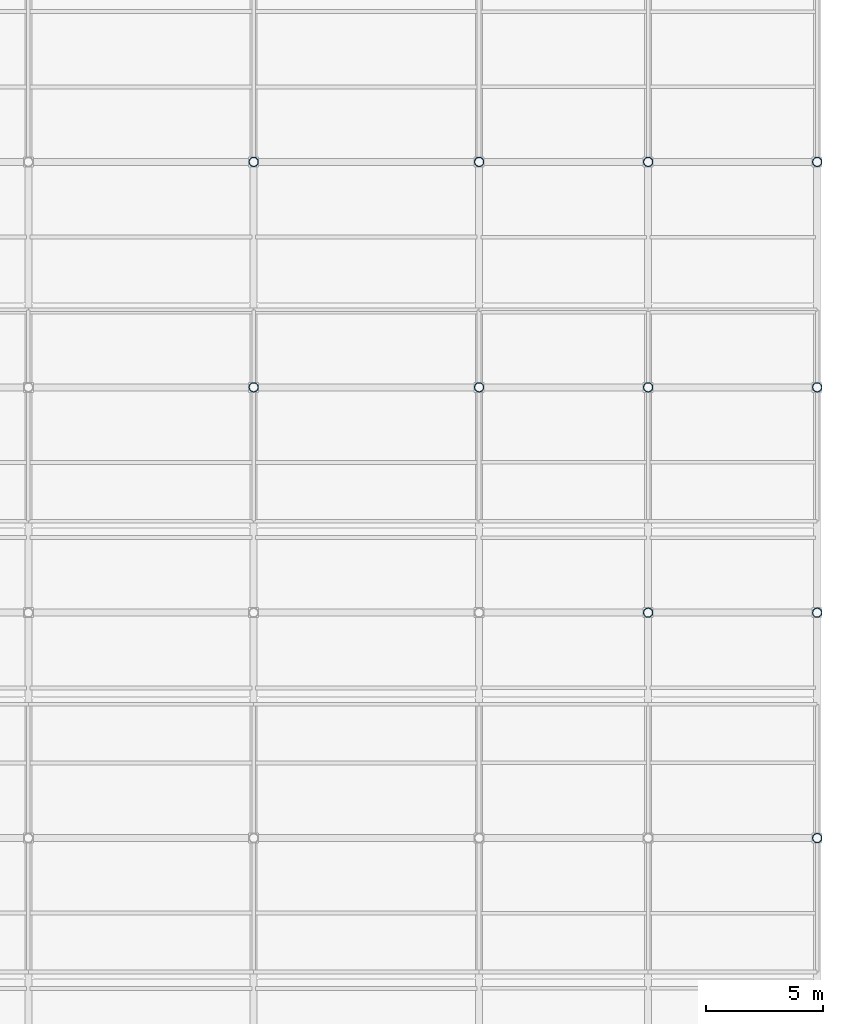
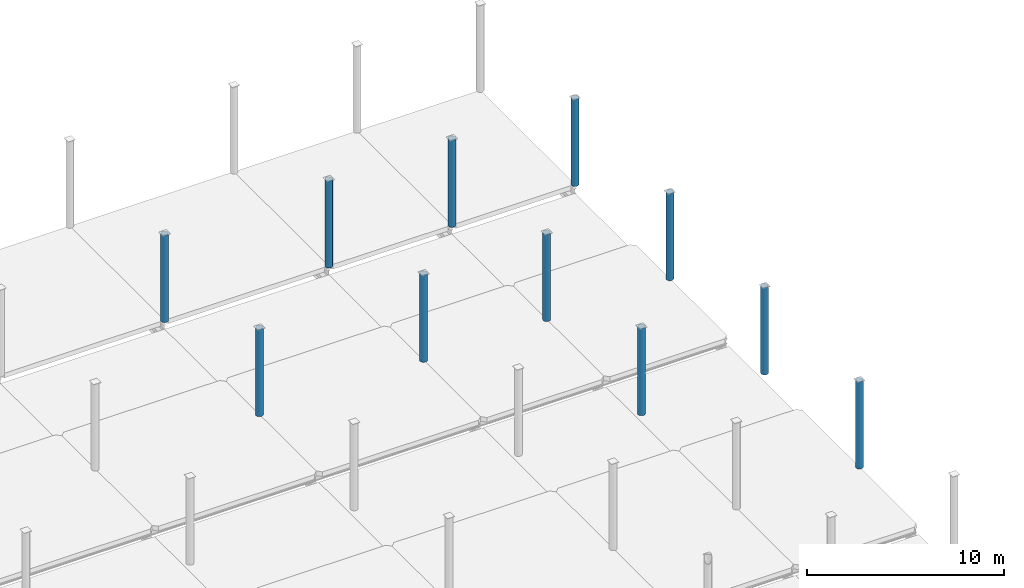
# One storey, part 21 of 85: 11 columns.
"""IFC4 building model written with IfcOpenShell, lengths in metres."""

from ifc_helpers import new_model, si_unit, direction, frame, origin, origin_2d, place, context, subcontext, project, spatial, hollow_circle, extrude, material, material_profile, profile_set, type_object, element, save


model = new_model("IFC4")

# Units and contexts
model_context = context("Model", 3, precision=1e-05, world=origin(), true_north=direction((0.0, 1.0)))
body_context = subcontext(model_context, "Body", "Model", "MODEL_VIEW")
ifc_project = project(units=[si_unit("LENGTHUNIT", "METRE"), si_unit("AREAUNIT", "SQUARE_METRE"), si_unit("VOLUMEUNIT", "CUBIC_METRE"), si_unit("PLANEANGLEUNIT", "RADIAN"), si_unit("MASSUNIT", "GRAM", prefix="KILO")], contexts=[model_context])

# Site, building, storey
site_placement = place(None, origin())
site = spatial("IfcSite", under=ifc_project, at=site_placement, CompositionType="ELEMENT")
building_placement = place(site_placement, origin())
building = spatial("IfcBuilding", under=site, at=building_placement, Name="Zarnetskaya Central Station", CompositionType="ELEMENT")
storey_placement = place(building_placement, origin())
storey = spatial("IfcBuildingStorey", under=building, at=storey_placement, Name="L00", CompositionType="ELEMENT", Elevation=0.0)

# Columns
ifc_material = material(Name="Steel S355", Category="steel")
ifc_material_profile = material_profile(ifc_material, hollow_circle(Radius=0.203125, WallThickness=0.02001953125, at=origin_2d()), Name="CHS 406.4x20")
ifc_profile_set = profile_set([ifc_material_profile], Name="Steel S355")
column_type = type_object("IfcColumnType", Name="COL-V1-PCAN", PredefinedType="COLUMN", material=ifc_profile_set)
for number, where, z_axis, x_axis, name in (
    (1, (163.199951171875, 105.60009765625, 0.0), (0.0, 0.0, 1.0), (1.0, 0.0, 0.0), "Column T13 L00"),
    (2, (163.199951171875, 115.199951171875, 0.0), (0.0, 0.0, 1.0), (1.0, 0.0, 0.0), "Column T14 L00"),
    (3, (172.800048828125, 105.60009765625, 0.0), (0.0, 0.0, 1.0), (1.0, 0.0, 0.0), "Column U13 L00"),
    (4, (172.800048828125, 115.199951171875, 0.0), (0.0, 0.0, 1.0), (1.0, 0.0, 0.0), "Column U14 L00"),
    (5, (180.0, 96.0, 0.0), (0.0, 0.0, 1.0), (1.0, 0.0, 0.0), "Column V12 L00"),
    (6, (180.0, 105.60009765625, 0.0), (0.0, 0.0, 1.0), (1.0, 0.0, 0.0), "Column V13 L00"),
    (7, (180.0, 115.199951171875, 0.0), (0.0, 0.0, 1.0), (1.0, 0.0, 0.0), "Column V14 L00"),
    (8, (187.199951171875, 86.39990234375, 0.0), (0.0, 0.0, 1.0), (1.0, 0.0, 0.0), "Column W11 L00"),
    (9, (187.199951171875, 96.0, 0.0), (0.0, 0.0, 1.0), (1.0, 0.0, 0.0), "Column W12 L00"),
    (10, (187.199951171875, 105.60009765625, 0.0), (0.0, 0.0, 1.0), (1.0, 0.0, 0.0), "Column W13 L00"),
    (11, (187.199951171875, 115.199951171875, 0.0), (0.0, 0.0, 1.0), (1.0, 0.0, 0.0), "Column W14 L00"),
):
    element("IfcColumn", number, at=place(storey_placement, frame(where, z_axis=z_axis, x_axis=x_axis)), inside=storey, type_object=column_type, Name=name, PredefinedType="COLUMN", context=body_context, shape_type="SweptSolid", body=[
        extrude(hollow_circle(Radius=0.203125, WallThickness=0.02001953125, at=origin_2d()), origin(), (0.0, 0.0, 1.0), 5.387939453125),
    ])

save(model, "model.ifc")
